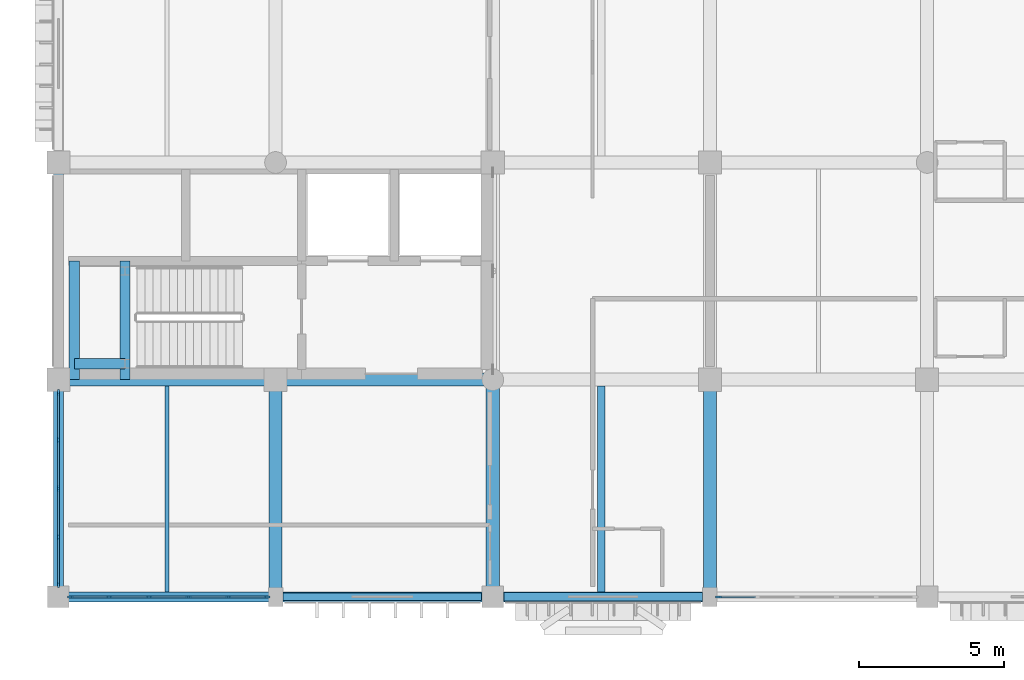
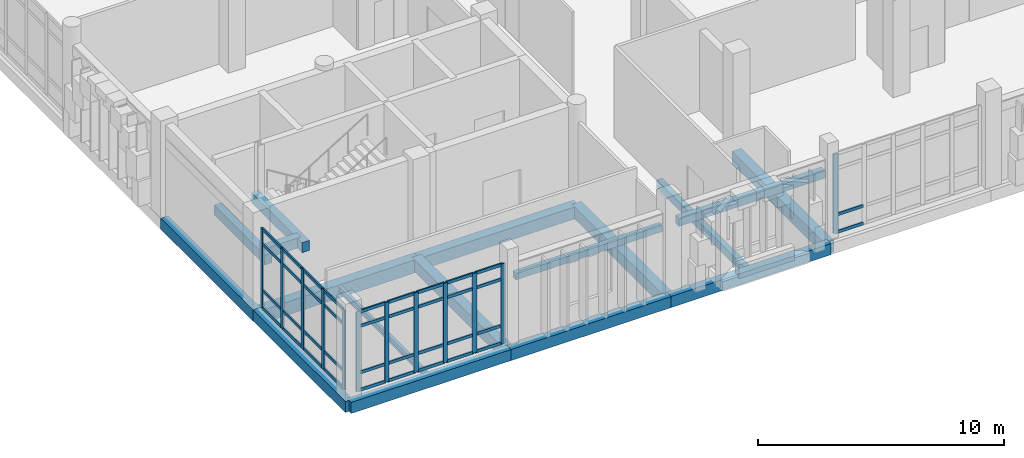
# One storey, part 16 of 131: 50 members, 17 beams, 3 elements without a shape of their own.
"""IFC4 building model written with IfcOpenShell, lengths in metres."""

from ifc_helpers import new_model, si_unit, direction, frame, origin, origin_2d, place, context, subcontext, project, spatial, rectangle, i_section, extrude, material, layer, layer_set, material_profile, profile_set, type_object, element, aggregate, save


model = new_model("IFC4")

# Units and contexts
model_context = context("Model", 3, precision=1e-05, world=origin(), true_north=direction((0.0, 1.0)))
body_context = subcontext(model_context, "Body", "Model", "MODEL_VIEW")
ifc_project = project(units=[si_unit("LENGTHUNIT", "METRE"), si_unit("AREAUNIT", "SQUARE_METRE"), si_unit("VOLUMEUNIT", "CUBIC_METRE"), si_unit("PLANEANGLEUNIT", "RADIAN"), si_unit("MASSUNIT", "GRAM", prefix="KILO")], contexts=[model_context])

# Site, building, storey
site_placement = place(None, origin())
site = spatial("IfcSite", under=ifc_project, at=site_placement, CompositionType="ELEMENT")
building_placement = place(site_placement, origin())
building = spatial("IfcBuilding", under=site, at=building_placement, Name="Dalvernix Boulevard General Hospital", CompositionType="ELEMENT")
storey_placement = place(building_placement, frame((0.0, 0.0, 9.300048828125)))
storey = spatial("IfcBuildingStorey", under=building, at=storey_placement, Name="L02", CompositionType="ELEMENT", Elevation=9.300048828125)

# Beams
ifc_material_1 = material(Name="Concrete C35/45", Category="concrete")
ifc_material_profile_1 = material_profile(ifc_material_1, rectangle(XDim=0.449951171875, YDim=0.64990234375, at=origin_2d()), Name="RCB 450x650")
ifc_profile_set_1 = profile_set([ifc_material_profile_1], Name="Concrete C35/45")
beam_type_1 = type_object("IfcBeamType", Name="BM-B-03-I", PredefinedType="BEAM", material=ifc_profile_set_1)
beam_1_placement = place(storey_placement, frame((0.0, 7.5, -0.64501953125), z_axis=(1.0, 0.0, 0.0), x_axis=(0.0, 1.0, 0.0)))
element("IfcBeam", 1, at=beam_1_placement, inside=storey, type_object=beam_type_1, Name="L02 E-W girder B:1-2", PredefinedType="BEAM", context=body_context, shape_type="SweptSolid", body=[
    extrude(rectangle(XDim=0.449951171875, YDim=0.64990234375, at=origin_2d()), origin(), (0.0, 0.0, 1.0), 7.5),
])
ifc_material_profile_2 = material_profile(ifc_material_1, rectangle(XDim=0.449951171875, YDim=0.60009765625, at=origin_2d()), Name="RCB 450x600")
ifc_profile_set_2 = profile_set([ifc_material_profile_2], Name="Concrete C35/45")
beam_type_2 = type_object("IfcBeamType", Name="BM-B-04-I", PredefinedType="BEAM", material=ifc_profile_set_2)
for number, where, z_axis, x_axis, name in (
    (2, (7.5, 7.5, -0.6201171875), (1.0, 0.0, 0.0), (0.0, 1.0, 0.0), "L02 E-W girder B:2-3"),
    (3, (7.5, 0.0, -0.6201171875), (0.0, 1.0, 0.0), (-1.0, 0.0, 0.0), "L02 N-S girder 2:A-B"),
    (4, (15.0, 0.0, -0.6201171875), (0.0, 1.0, 0.0), (-1.0, 0.0, 0.0), "L02 N-S girder 3:A-B"),
    (5, (22.5, 0.0, -0.6201171875), (0.0, 1.0, 0.0), (-1.0, 0.0, 0.0), "L02 N-S girder 4:A-B"),
):
    element("IfcBeam", number, at=place(storey_placement, frame(where, z_axis=z_axis, x_axis=x_axis)), inside=storey, type_object=beam_type_2, Name=name, PredefinedType="BEAM", context=body_context, shape_type="SweptSolid", body=[
        extrude(rectangle(XDim=0.449951171875, YDim=0.60009765625, at=origin_2d()), origin(), (0.0, 0.0, 1.0), 7.5),
    ])
ifc_material_profile_3 = material_profile(ifc_material_1, rectangle(XDim=0.35009765625, YDim=0.5, at=origin_2d()), Name="RCB 350x500")
ifc_profile_set_3 = profile_set([ifc_material_profile_3], Name="Concrete C35/45")
beam_type_3 = type_object("IfcBeamType", Name="BM-B-08", PredefinedType="BEAM", material=ifc_profile_set_3)
for number, where, z_axis, x_axis, name in (
    (6, (0.550048828125, 7.5, 1.949951171875), (0.0, 1.0, 0.0), (-1.0, 0.0, 0.0), "L02 C1 stair half-landing beam 1"),
    (7, (2.300048828125, 7.5, 1.949951171875), (0.0, 1.0, 0.0), (-1.0, 0.0, 0.0), "L02 C1 stair half-landing beam 2"),
):
    element("IfcBeam", number, at=place(storey_placement, frame(where, z_axis=z_axis, x_axis=x_axis)), inside=storey, type_object=beam_type_3, Name=name, PredefinedType="BEAM", context=body_context, shape_type="SweptSolid", body=[
        extrude(rectangle(XDim=0.35009765625, YDim=0.5, at=origin_2d()), origin(), (0.0, 0.0, 1.0), 4.10009765625),
    ])
beam_2_placement = place(storey_placement, frame((0.550048828125, 8.050048828125, 1.949951171875), z_axis=(1.0, 0.0, 0.0), x_axis=(0.0, 1.0, 0.0)))
element("IfcBeam", 8, at=beam_2_placement, inside=storey, type_object=beam_type_3, Name="L02 C1 stair half-landing tie beam", PredefinedType="BEAM", context=body_context, shape_type="SweptSolid", body=[
    extrude(rectangle(XDim=0.35009765625, YDim=0.5, at=origin_2d()), origin(), (0.0, 0.0, 1.0), 1.75),
])
ifc_material_profile_4 = material_profile(ifc_material_1, rectangle(XDim=0.25, YDim=0.39990234375, at=origin_2d()), Name="RCB 250x400")
ifc_profile_set_4 = profile_set([ifc_material_profile_4], Name="Concrete C35/45")
beam_type_4 = type_object("IfcBeamType", Name="BM-JB-02", PredefinedType="JOIST", material=ifc_profile_set_4)
beam_3_placement = place(storey_placement, frame((18.75, 0.175048828125, -0.52001953125), z_axis=(0.0, 1.0, 0.0), x_axis=(-1.0, 0.0, 0.0)))
element("IfcBeam", 9, at=beam_3_placement, inside=storey, type_object=beam_type_4, Name="L02 secondary floor beam 3-A", PredefinedType="JOIST", context=body_context, shape_type="SweptSolid", body=[
    extrude(rectangle(XDim=0.25, YDim=0.39990234375, at=origin_2d()), origin(), (0.0, 0.0, 1.0), 7.099853515625),
])
ifc_material_2 = material(Name="Steel S355", Category="steel")
ifc_material_profile_5 = material_profile(ifc_material_2, i_section(OverallWidth=0.14990234375, OverallDepth=0.300048828125, WebThickness=0.007080078125, FlangeThickness=0.0107421875, FilletRadius=0.014892578125, at=origin_2d()), Name="IPE 300")
ifc_profile_set_5 = profile_set([ifc_material_profile_5], Name="Steel S355")
beam_type_5 = type_object("IfcBeamType", Name="BM-JB-03", PredefinedType="JOIST", material=ifc_profile_set_5)
beam_4_placement = place(storey_placement, frame((3.75, 0.175048828125, -0.469970703125), z_axis=(0.0, 1.0, 0.0), x_axis=(-1.0, 0.0, 0.0)))
element("IfcBeam", 10, at=beam_4_placement, inside=storey, type_object=beam_type_5, Name="L02 secondary floor beam 1-A", PredefinedType="JOIST", context=body_context, shape_type="SweptSolid", body=[
    extrude(i_section(OverallWidth=0.14990234375, OverallDepth=0.300048828125, WebThickness=0.007080078125, FlangeThickness=0.0107421875, FilletRadius=0.014892578125, at=origin_2d()), origin(), (0.0, 0.0, 1.0), 7.099853515625),
])
ifc_material_3 = material(Name="Precast concrete C40/50", Category="concrete")
ifc_material_profile_6 = material_profile(ifc_material_3, rectangle(XDim=0.25, YDim=0.320068359375, at=origin_2d()), Name="RCL 250x320")
ifc_profile_set_6 = profile_set([ifc_material_profile_6], Name="Precast concrete C40/50")
beam_type_6 = type_object("IfcBeamType", Name="BM-LB-01", PredefinedType="LINTEL", material=ifc_profile_set_6)
beam_5_placement = place(storey_placement, frame((14.614990234375, 0.0, 3.159912109375), z_axis=(-1.0, 0.0, 0.0), x_axis=(0.0, -1.0, 0.0)))
element("IfcBeam", 11, at=beam_5_placement, inside=storey, type_object=beam_type_6, Name="L02 precast window lintel S 1-0", PredefinedType="LINTEL", context=body_context, shape_type="SweptSolid", body=[
    extrude(rectangle(XDim=0.25, YDim=0.320068359375, at=origin_2d()), origin(), (0.0, 0.0, 1.0), 6.85498046875),
])
ifc_material_profile_7 = material_profile(ifc_material_3, rectangle(XDim=0.300048828125, YDim=0.3798828125, at=origin_2d()), Name="RCL 300x380")
ifc_profile_set_7 = profile_set([ifc_material_profile_7], Name="Precast concrete C40/50")
beam_type_7 = type_object("IfcBeamType", Name="BM-LB-02", PredefinedType="LINTEL", material=ifc_profile_set_7)
beam_6_placement = place(storey_placement, frame((22.239990234375, 0.0, 3.18994140625), z_axis=(-1.0, 0.0, 0.0), x_axis=(0.0, -1.0, 0.0)))
element("IfcBeam", 12, at=beam_6_placement, inside=storey, type_object=beam_type_7, Name="L02 precast window lintel S 2-0", PredefinedType="LINTEL", context=body_context, shape_type="SweptSolid", body=[
    extrude(rectangle(XDim=0.300048828125, YDim=0.3798828125, at=origin_2d()), origin(), (0.0, 0.0, 1.0), 6.85498046875),
])
ifc_material_profile_8 = material_profile(ifc_material_1, rectangle(XDim=0.35009765625, YDim=0.550048828125, at=origin_2d()), Name="RCB 350x550")
ifc_profile_set_8 = profile_set([ifc_material_profile_8], Name="Concrete C35/45")
beam_type_8 = type_object("IfcBeamType", Name="BM-SB-01-E", PredefinedType="SPANDREL", material=ifc_profile_set_8)
for number, where, z_axis, x_axis, name in (
    (13, (0.0, 0.0, -0.594970703125), (1.0, 0.0, 0.0), (0.0, 1.0, 0.0), "L02 E-W girder A:1-2"),
    (14, (7.5, 0.0, -0.594970703125), (1.0, 0.0, 0.0), (0.0, 1.0, 0.0), "L02 E-W girder A:2-3"),
    (15, (15.0, 0.0, -0.594970703125), (1.0, 0.0, 0.0), (0.0, 1.0, 0.0), "L02 E-W girder A:3-4"),
    (16, (0.0, 0.0, -0.594970703125), (0.0, 1.0, 0.0), (-1.0, 0.0, 0.0), "L02 N-S girder 1:A-B"),
    (17, (0.0, 7.5, -0.594970703125), (0.0, 1.0, 0.0), (-1.0, 0.0, 0.0), "L02 N-S girder 1:B-C"),
):
    element("IfcBeam", number, at=place(storey_placement, frame(where, z_axis=z_axis, x_axis=x_axis)), inside=storey, type_object=beam_type_8, Name=name, PredefinedType="SPANDREL", context=body_context, shape_type="SweptSolid", body=[
        extrude(rectangle(XDim=0.35009765625, YDim=0.550048828125, at=origin_2d()), origin(), (0.0, 0.0, 1.0), 7.5),
    ])

# Curtain wall, members
ifc_material_4 = material(Name="Thermally broken aluminium and solar-control glass curtain wall", Category="aluminium")
ifc_layer_1 = layer(ifc_material_4, 0.199951171875)
ifc_layer_set_1 = layer_set([ifc_layer_1], Name="Thermally broken aluminium and solar-control glass curtain wall (CW-CW-C-69x40)")
curtain_wall_type_1 = type_object("IfcCurtainWallType", Name="CW-CW-C-69x40", PredefinedType="USERDEFINED", material=ifc_layer_set_1)
curtain_wall_1_placement = place(storey_placement, origin())
curtain_wall_1 = element("IfcCurtainWall", 18, at=curtain_wall_1_placement, inside=storey, type_object=curtain_wall_type_1, Name="L02 curtain wall CW-C-69x40 0-0", ObjectType="GLAZED FACADE", PredefinedType="USERDEFINED")
ifc_material_5 = material(Name="Aluminium EN AW-6060", Category="aluminium")
ifc_material_profile_9 = material_profile(ifc_material_5, rectangle(XDim=0.070068359375, YDim=0.199951171875, at=origin_2d()), Name="ALU MULL 70x200")
ifc_profile_set_9 = profile_set([ifc_material_profile_9], Name="Aluminium EN AW-6060")
member_type_1 = type_object("IfcMemberType", Name="MEM-CW-M3", PredefinedType="MULLION", material=ifc_profile_set_9)
member_1_placement = place(storey_placement, frame((7.205078125, 0.0, 0.0), z_axis=(0.0, 0.0, 1.0), x_axis=(0.0, -1.0, 0.0)))
member_1 = element("IfcMember", 19, at=member_1_placement, type_object=member_type_1, Name="CW-C-69x40 mullion 1", PredefinedType="MULLION", context=body_context, shape_type="SweptSolid", body=[
    extrude(rectangle(XDim=0.070068359375, YDim=0.199951171875, at=origin_2d()), origin(), (0.0, 0.0, 1.0), 3.949951171875),
])
member_2_placement = place(storey_placement, frame((5.868896484375, 0.0, 0.0), z_axis=(0.0, 0.0, 1.0), x_axis=(0.0, -1.0, 0.0)))
member_2 = element("IfcMember", 20, at=member_2_placement, type_object=member_type_1, Name="CW-C-69x40 mullion 2", PredefinedType="MULLION", context=body_context, shape_type="SweptSolid", body=[
    extrude(rectangle(XDim=0.070068359375, YDim=0.199951171875, at=origin_2d()), origin(), (0.0, 0.0, 1.0), 3.949951171875),
])
member_3_placement = place(storey_placement, frame((4.498046875, 0.0, 0.0), z_axis=(0.0, 0.0, 1.0), x_axis=(0.0, -1.0, 0.0)))
member_3 = element("IfcMember", 21, at=member_3_placement, type_object=member_type_1, Name="CW-C-69x40 mullion 3", PredefinedType="MULLION", context=body_context, shape_type="SweptSolid", body=[
    extrude(rectangle(XDim=0.070068359375, YDim=0.199951171875, at=origin_2d()), origin(), (0.0, 0.0, 1.0), 3.949951171875),
])
member_4_placement = place(storey_placement, frame((3.126953125, 0.0, 0.0), z_axis=(0.0, 0.0, 1.0), x_axis=(0.0, -1.0, 0.0)))
member_4 = element("IfcMember", 22, at=member_4_placement, type_object=member_type_1, Name="CW-C-69x40 mullion 4", PredefinedType="MULLION", context=body_context, shape_type="SweptSolid", body=[
    extrude(rectangle(XDim=0.070068359375, YDim=0.199951171875, at=origin_2d()), origin(), (0.0, 0.0, 1.0), 3.949951171875),
])
member_5_placement = place(storey_placement, frame((1.756103515625, 0.0, 0.0), z_axis=(0.0, 0.0, 1.0), x_axis=(0.0, -1.0, 0.0)))
member_5 = element("IfcMember", 23, at=member_5_placement, type_object=member_type_1, Name="CW-C-69x40 mullion 5", PredefinedType="MULLION", context=body_context, shape_type="SweptSolid", body=[
    extrude(rectangle(XDim=0.070068359375, YDim=0.199951171875, at=origin_2d()), origin(), (0.0, 0.0, 1.0), 3.949951171875),
])
member_6_placement = place(storey_placement, frame((0.419921875, 0.0, 0.0), z_axis=(0.0, 0.0, 1.0), x_axis=(0.0, -1.0, 0.0)))
member_6 = element("IfcMember", 24, at=member_6_placement, type_object=member_type_1, Name="CW-C-69x40 mullion 6", PredefinedType="MULLION", context=body_context, shape_type="SweptSolid", body=[
    extrude(rectangle(XDim=0.070068359375, YDim=0.199951171875, at=origin_2d()), origin(), (0.0, 0.0, 1.0), 3.949951171875),
])

ifc_layer_2 = layer(ifc_material_4, 0.199951171875)
ifc_layer_set_2 = layer_set([ifc_layer_2], Name="Thermally broken aluminium and solar-control glass curtain wall (CW-CW-C-67x40)")
curtain_wall_type_2 = type_object("IfcCurtainWallType", Name="CW-CW-C-67x40", PredefinedType="USERDEFINED", material=ifc_layer_set_2)
curtain_wall_2_placement = place(storey_placement, origin())
curtain_wall_2 = element("IfcCurtainWall", 25, at=curtain_wall_2_placement, inside=storey, type_object=curtain_wall_type_2, Name="L02 curtain wall CW-C-67x40 0-0", ObjectType="GLAZED FACADE", PredefinedType="USERDEFINED")
member_7_placement = place(storey_placement, frame((0.0, 0.419921875, 0.0), z_axis=(0.0, 0.0, 1.0), x_axis=(-1.0, 0.0, 0.0)))
member_7 = element("IfcMember", 26, at=member_7_placement, type_object=member_type_1, Name="CW-C-67x40 mullion 1", PredefinedType="MULLION", context=body_context, shape_type="SweptSolid", body=[
    extrude(rectangle(XDim=0.070068359375, YDim=0.199951171875, at=origin_2d()), origin(), (0.0, 0.0, 1.0), 3.949951171875),
])
member_8_placement = place(storey_placement, frame((0.0, 2.061279296875, 0.0), z_axis=(0.0, 0.0, 1.0), x_axis=(-1.0, 0.0, 0.0)))
member_8 = element("IfcMember", 27, at=member_8_placement, type_object=member_type_1, Name="CW-C-67x40 mullion 2", PredefinedType="MULLION", context=body_context, shape_type="SweptSolid", body=[
    extrude(rectangle(XDim=0.070068359375, YDim=0.199951171875, at=origin_2d()), origin(), (0.0, 0.0, 1.0), 3.949951171875),
])
member_9_placement = place(storey_placement, frame((0.0, 3.737548828125, 0.0), z_axis=(0.0, 0.0, 1.0), x_axis=(-1.0, 0.0, 0.0)))
member_9 = element("IfcMember", 28, at=member_9_placement, type_object=member_type_1, Name="CW-C-67x40 mullion 3", PredefinedType="MULLION", context=body_context, shape_type="SweptSolid", body=[
    extrude(rectangle(XDim=0.070068359375, YDim=0.199951171875, at=origin_2d()), origin(), (0.0, 0.0, 1.0), 3.949951171875),
])
member_10_placement = place(storey_placement, frame((0.0, 5.413818359375, 0.0), z_axis=(0.0, 0.0, 1.0), x_axis=(-1.0, 0.0, 0.0)))
member_10 = element("IfcMember", 29, at=member_10_placement, type_object=member_type_1, Name="CW-C-67x40 mullion 4", PredefinedType="MULLION", context=body_context, shape_type="SweptSolid", body=[
    extrude(rectangle(XDim=0.070068359375, YDim=0.199951171875, at=origin_2d()), origin(), (0.0, 0.0, 1.0), 3.949951171875),
])
member_11_placement = place(storey_placement, frame((0.0, 7.054931640625, 0.0), z_axis=(0.0, 0.0, 1.0), x_axis=(-1.0, 0.0, 0.0)))
member_11 = element("IfcMember", 30, at=member_11_placement, type_object=member_type_1, Name="CW-C-67x40 mullion 5", PredefinedType="MULLION", context=body_context, shape_type="SweptSolid", body=[
    extrude(rectangle(XDim=0.070068359375, YDim=0.199951171875, at=origin_2d()), origin(), (0.0, 0.0, 1.0), 3.949951171875),
])

# Curtain wall, member
curtain_wall_3_placement = place(storey_placement, origin())
curtain_wall_3 = element("IfcCurtainWall", 31, at=curtain_wall_3_placement, inside=storey, type_object=curtain_wall_type_1, Name="L02 curtain wall CW-C-69x40 3-0", ObjectType="GLAZED FACADE", PredefinedType="USERDEFINED")
member_12_placement = place(storey_placement, frame((22.794921875, 0.0, 0.0), z_axis=(0.0, 0.0, 1.0), x_axis=(0.0, -1.0, 0.0)))
member_12 = element("IfcMember", 32, at=member_12_placement, type_object=member_type_1, Name="CW-C-69x40 mullion 6", PredefinedType="MULLION", context=body_context, shape_type="SweptSolid", body=[
    extrude(rectangle(XDim=0.070068359375, YDim=0.199951171875, at=origin_2d()), origin(), (0.0, 0.0, 1.0), 3.949951171875),
])

# Member
ifc_material_profile_10 = material_profile(ifc_material_5, rectangle(XDim=0.070068359375, YDim=0.14990234375, at=origin_2d()), Name="ALU TRAN 70x150")
ifc_profile_set_10 = profile_set([ifc_material_profile_10], Name="Aluminium EN AW-6060")
member_type_2 = type_object("IfcMemberType", Name="MEM-CW-T3", PredefinedType="USERDEFINED", material=ifc_profile_set_10)
member_13_placement = place(storey_placement, frame((7.169921875, 0.0, 0.034912109375), z_axis=(-1.0, 0.0, 0.0), x_axis=(0.0, -1.0, 0.0)))
member_13 = element("IfcMember", 33, at=member_13_placement, type_object=member_type_2, Name="CW-C-69x40 transom 1.1", ObjectType="TRANSOM", PredefinedType="USERDEFINED", context=body_context, shape_type="SweptSolid", body=[
    extrude(rectangle(XDim=0.070068359375, YDim=0.14990234375, at=origin_2d()), origin(), (0.0, 0.0, 1.0), 1.265869140625),
])

member_14_placement = place(storey_placement, frame((7.169921875, 0.0, 0.89990234375), z_axis=(-1.0, 0.0, 0.0), x_axis=(0.0, -1.0, 0.0)))
member_14 = element("IfcMember", 34, at=member_14_placement, type_object=member_type_2, Name="CW-C-69x40 transom 1.2", ObjectType="TRANSOM", PredefinedType="USERDEFINED", context=body_context, shape_type="SweptSolid", body=[
    extrude(rectangle(XDim=0.070068359375, YDim=0.14990234375, at=origin_2d()), origin(), (0.0, 0.0, 1.0), 1.265869140625),
])

member_15_placement = place(storey_placement, frame((7.169921875, 0.0, 3.199951171875), z_axis=(-1.0, 0.0, 0.0), x_axis=(0.0, -1.0, 0.0)))
member_15 = element("IfcMember", 35, at=member_15_placement, type_object=member_type_2, Name="CW-C-69x40 transom 1.3", ObjectType="TRANSOM", PredefinedType="USERDEFINED", context=body_context, shape_type="SweptSolid", body=[
    extrude(rectangle(XDim=0.070068359375, YDim=0.14990234375, at=origin_2d()), origin(), (0.0, 0.0, 1.0), 1.265869140625),
])

member_16_placement = place(storey_placement, frame((7.169921875, 0.0, 3.9150390625), z_axis=(-1.0, 0.0, 0.0), x_axis=(0.0, -1.0, 0.0)))
member_16 = element("IfcMember", 36, at=member_16_placement, type_object=member_type_2, Name="CW-C-69x40 transom 1.4", ObjectType="TRANSOM", PredefinedType="USERDEFINED", context=body_context, shape_type="SweptSolid", body=[
    extrude(rectangle(XDim=0.070068359375, YDim=0.14990234375, at=origin_2d()), origin(), (0.0, 0.0, 1.0), 1.265869140625),
])

member_17_placement = place(storey_placement, frame((5.833984375, 0.0, 0.034912109375), z_axis=(-1.0, 0.0, 0.0), x_axis=(0.0, -1.0, 0.0)))
member_17 = element("IfcMember", 37, at=member_17_placement, type_object=member_type_2, Name="CW-C-69x40 transom 2.1", ObjectType="TRANSOM", PredefinedType="USERDEFINED", context=body_context, shape_type="SweptSolid", body=[
    extrude(rectangle(XDim=0.070068359375, YDim=0.14990234375, at=origin_2d()), origin(), (0.0, 0.0, 1.0), 1.301025390625),
])

member_18_placement = place(storey_placement, frame((5.833984375, 0.0, 0.89990234375), z_axis=(-1.0, 0.0, 0.0), x_axis=(0.0, -1.0, 0.0)))
member_18 = element("IfcMember", 38, at=member_18_placement, type_object=member_type_2, Name="CW-C-69x40 transom 2.2", ObjectType="TRANSOM", PredefinedType="USERDEFINED", context=body_context, shape_type="SweptSolid", body=[
    extrude(rectangle(XDim=0.070068359375, YDim=0.14990234375, at=origin_2d()), origin(), (0.0, 0.0, 1.0), 1.301025390625),
])

member_19_placement = place(storey_placement, frame((5.833984375, 0.0, 3.199951171875), z_axis=(-1.0, 0.0, 0.0), x_axis=(0.0, -1.0, 0.0)))
member_19 = element("IfcMember", 39, at=member_19_placement, type_object=member_type_2, Name="CW-C-69x40 transom 2.3", ObjectType="TRANSOM", PredefinedType="USERDEFINED", context=body_context, shape_type="SweptSolid", body=[
    extrude(rectangle(XDim=0.070068359375, YDim=0.14990234375, at=origin_2d()), origin(), (0.0, 0.0, 1.0), 1.301025390625),
])

member_20_placement = place(storey_placement, frame((5.833984375, 0.0, 3.9150390625), z_axis=(-1.0, 0.0, 0.0), x_axis=(0.0, -1.0, 0.0)))
member_20 = element("IfcMember", 40, at=member_20_placement, type_object=member_type_2, Name="CW-C-69x40 transom 2.4", ObjectType="TRANSOM", PredefinedType="USERDEFINED", context=body_context, shape_type="SweptSolid", body=[
    extrude(rectangle(XDim=0.070068359375, YDim=0.14990234375, at=origin_2d()), origin(), (0.0, 0.0, 1.0), 1.301025390625),
])

member_21_placement = place(storey_placement, frame((4.462890625, 0.0, 0.034912109375), z_axis=(-1.0, 0.0, 0.0), x_axis=(0.0, -1.0, 0.0)))
member_21 = element("IfcMember", 41, at=member_21_placement, type_object=member_type_2, Name="CW-C-69x40 transom 3.1", ObjectType="TRANSOM", PredefinedType="USERDEFINED", context=body_context, shape_type="SweptSolid", body=[
    extrude(rectangle(XDim=0.070068359375, YDim=0.14990234375, at=origin_2d()), origin(), (0.0, 0.0, 1.0), 1.30078125),
])

member_22_placement = place(storey_placement, frame((4.462890625, 0.0, 0.89990234375), z_axis=(-1.0, 0.0, 0.0), x_axis=(0.0, -1.0, 0.0)))
member_22 = element("IfcMember", 42, at=member_22_placement, type_object=member_type_2, Name="CW-C-69x40 transom 3.2", ObjectType="TRANSOM", PredefinedType="USERDEFINED", context=body_context, shape_type="SweptSolid", body=[
    extrude(rectangle(XDim=0.070068359375, YDim=0.14990234375, at=origin_2d()), origin(), (0.0, 0.0, 1.0), 1.30078125),
])

member_23_placement = place(storey_placement, frame((4.462890625, 0.0, 3.199951171875), z_axis=(-1.0, 0.0, 0.0), x_axis=(0.0, -1.0, 0.0)))
member_23 = element("IfcMember", 43, at=member_23_placement, type_object=member_type_2, Name="CW-C-69x40 transom 3.3", ObjectType="TRANSOM", PredefinedType="USERDEFINED", context=body_context, shape_type="SweptSolid", body=[
    extrude(rectangle(XDim=0.070068359375, YDim=0.14990234375, at=origin_2d()), origin(), (0.0, 0.0, 1.0), 1.30078125),
])

member_24_placement = place(storey_placement, frame((4.462890625, 0.0, 3.9150390625), z_axis=(-1.0, 0.0, 0.0), x_axis=(0.0, -1.0, 0.0)))
member_24 = element("IfcMember", 44, at=member_24_placement, type_object=member_type_2, Name="CW-C-69x40 transom 3.4", ObjectType="TRANSOM", PredefinedType="USERDEFINED", context=body_context, shape_type="SweptSolid", body=[
    extrude(rectangle(XDim=0.070068359375, YDim=0.14990234375, at=origin_2d()), origin(), (0.0, 0.0, 1.0), 1.30078125),
])

member_25_placement = place(storey_placement, frame((3.092041015625, 0.0, 0.034912109375), z_axis=(-1.0, 0.0, 0.0), x_axis=(0.0, -1.0, 0.0)))
member_25 = element("IfcMember", 45, at=member_25_placement, type_object=member_type_2, Name="CW-C-69x40 transom 4.1", ObjectType="TRANSOM", PredefinedType="USERDEFINED", context=body_context, shape_type="SweptSolid", body=[
    extrude(rectangle(XDim=0.070068359375, YDim=0.14990234375, at=origin_2d()), origin(), (0.0, 0.0, 1.0), 1.301025390625),
])

member_26_placement = place(storey_placement, frame((3.092041015625, 0.0, 0.89990234375), z_axis=(-1.0, 0.0, 0.0), x_axis=(0.0, -1.0, 0.0)))
member_26 = element("IfcMember", 46, at=member_26_placement, type_object=member_type_2, Name="CW-C-69x40 transom 4.2", ObjectType="TRANSOM", PredefinedType="USERDEFINED", context=body_context, shape_type="SweptSolid", body=[
    extrude(rectangle(XDim=0.070068359375, YDim=0.14990234375, at=origin_2d()), origin(), (0.0, 0.0, 1.0), 1.301025390625),
])

member_27_placement = place(storey_placement, frame((3.092041015625, 0.0, 3.199951171875), z_axis=(-1.0, 0.0, 0.0), x_axis=(0.0, -1.0, 0.0)))
member_27 = element("IfcMember", 47, at=member_27_placement, type_object=member_type_2, Name="CW-C-69x40 transom 4.3", ObjectType="TRANSOM", PredefinedType="USERDEFINED", context=body_context, shape_type="SweptSolid", body=[
    extrude(rectangle(XDim=0.070068359375, YDim=0.14990234375, at=origin_2d()), origin(), (0.0, 0.0, 1.0), 1.301025390625),
])

member_28_placement = place(storey_placement, frame((3.092041015625, 0.0, 3.9150390625), z_axis=(-1.0, 0.0, 0.0), x_axis=(0.0, -1.0, 0.0)))
member_28 = element("IfcMember", 48, at=member_28_placement, type_object=member_type_2, Name="CW-C-69x40 transom 4.4", ObjectType="TRANSOM", PredefinedType="USERDEFINED", context=body_context, shape_type="SweptSolid", body=[
    extrude(rectangle(XDim=0.070068359375, YDim=0.14990234375, at=origin_2d()), origin(), (0.0, 0.0, 1.0), 1.301025390625),
])

member_29_placement = place(storey_placement, frame((1.720947265625, 0.0, 0.034912109375), z_axis=(-1.0, 0.0, 0.0), x_axis=(0.0, -1.0, 0.0)))
member_29 = element("IfcMember", 49, at=member_29_placement, type_object=member_type_2, Name="CW-C-69x40 transom 5.1", ObjectType="TRANSOM", PredefinedType="USERDEFINED", context=body_context, shape_type="SweptSolid", body=[
    extrude(rectangle(XDim=0.070068359375, YDim=0.14990234375, at=origin_2d()), origin(), (0.0, 0.0, 1.0), 1.265869140625),
])

member_30_placement = place(storey_placement, frame((1.720947265625, 0.0, 0.89990234375), z_axis=(-1.0, 0.0, 0.0), x_axis=(0.0, -1.0, 0.0)))
member_30 = element("IfcMember", 50, at=member_30_placement, type_object=member_type_2, Name="CW-C-69x40 transom 5.2", ObjectType="TRANSOM", PredefinedType="USERDEFINED", context=body_context, shape_type="SweptSolid", body=[
    extrude(rectangle(XDim=0.070068359375, YDim=0.14990234375, at=origin_2d()), origin(), (0.0, 0.0, 1.0), 1.265869140625),
])

member_31_placement = place(storey_placement, frame((1.720947265625, 0.0, 3.199951171875), z_axis=(-1.0, 0.0, 0.0), x_axis=(0.0, -1.0, 0.0)))
member_31 = element("IfcMember", 51, at=member_31_placement, type_object=member_type_2, Name="CW-C-69x40 transom 5.3", ObjectType="TRANSOM", PredefinedType="USERDEFINED", context=body_context, shape_type="SweptSolid", body=[
    extrude(rectangle(XDim=0.070068359375, YDim=0.14990234375, at=origin_2d()), origin(), (0.0, 0.0, 1.0), 1.265869140625),
])

member_32_placement = place(storey_placement, frame((1.720947265625, 0.0, 3.9150390625), z_axis=(-1.0, 0.0, 0.0), x_axis=(0.0, -1.0, 0.0)))
member_32 = element("IfcMember", 52, at=member_32_placement, type_object=member_type_2, Name="CW-C-69x40 transom 5.4", ObjectType="TRANSOM", PredefinedType="USERDEFINED", context=body_context, shape_type="SweptSolid", body=[
    extrude(rectangle(XDim=0.070068359375, YDim=0.14990234375, at=origin_2d()), origin(), (0.0, 0.0, 1.0), 1.265869140625),
])

aggregate(curtain_wall_1, [member_1, member_2, member_3, member_4, member_5, member_6, member_13, member_14, member_15, member_16, member_17, member_18, member_19, member_20, member_21, member_22, member_23, member_24, member_25, member_26, member_27, member_28, member_29, member_30, member_31, member_32])

member_33_placement = place(storey_placement, frame((0.0, 0.455078125, 0.034912109375), z_axis=(0.0, 1.0, 0.0), x_axis=(-1.0, 0.0, 0.0)))
member_33 = element("IfcMember", 53, at=member_33_placement, type_object=member_type_2, Name="CW-C-67x40 transom 1.1", ObjectType="TRANSOM", PredefinedType="USERDEFINED", context=body_context, shape_type="SweptSolid", body=[
    extrude(rectangle(XDim=0.070068359375, YDim=0.14990234375, at=origin_2d()), origin(), (0.0, 0.0, 1.0), 1.5712890625),
])

member_34_placement = place(storey_placement, frame((0.0, 0.455078125, 0.89990234375), z_axis=(0.0, 1.0, 0.0), x_axis=(-1.0, 0.0, 0.0)))
member_34 = element("IfcMember", 54, at=member_34_placement, type_object=member_type_2, Name="CW-C-67x40 transom 1.2", ObjectType="TRANSOM", PredefinedType="USERDEFINED", context=body_context, shape_type="SweptSolid", body=[
    extrude(rectangle(XDim=0.070068359375, YDim=0.14990234375, at=origin_2d()), origin(), (0.0, 0.0, 1.0), 1.5712890625),
])

member_35_placement = place(storey_placement, frame((0.0, 0.455078125, 3.199951171875), z_axis=(0.0, 1.0, 0.0), x_axis=(-1.0, 0.0, 0.0)))
member_35 = element("IfcMember", 55, at=member_35_placement, type_object=member_type_2, Name="CW-C-67x40 transom 1.3", ObjectType="TRANSOM", PredefinedType="USERDEFINED", context=body_context, shape_type="SweptSolid", body=[
    extrude(rectangle(XDim=0.070068359375, YDim=0.14990234375, at=origin_2d()), origin(), (0.0, 0.0, 1.0), 1.5712890625),
])

member_36_placement = place(storey_placement, frame((0.0, 0.455078125, 3.9150390625), z_axis=(0.0, 1.0, 0.0), x_axis=(-1.0, 0.0, 0.0)))
member_36 = element("IfcMember", 56, at=member_36_placement, type_object=member_type_2, Name="CW-C-67x40 transom 1.4", ObjectType="TRANSOM", PredefinedType="USERDEFINED", context=body_context, shape_type="SweptSolid", body=[
    extrude(rectangle(XDim=0.070068359375, YDim=0.14990234375, at=origin_2d()), origin(), (0.0, 0.0, 1.0), 1.5712890625),
])

member_37_placement = place(storey_placement, frame((0.0, 2.09619140625, 0.034912109375), z_axis=(0.0, 1.0, 0.0), x_axis=(-1.0, 0.0, 0.0)))
member_37 = element("IfcMember", 57, at=member_37_placement, type_object=member_type_2, Name="CW-C-67x40 transom 2.1", ObjectType="TRANSOM", PredefinedType="USERDEFINED", context=body_context, shape_type="SweptSolid", body=[
    extrude(rectangle(XDim=0.070068359375, YDim=0.14990234375, at=origin_2d()), origin(), (0.0, 0.0, 1.0), 1.606201171875),
])

member_38_placement = place(storey_placement, frame((0.0, 2.09619140625, 0.89990234375), z_axis=(0.0, 1.0, 0.0), x_axis=(-1.0, 0.0, 0.0)))
member_38 = element("IfcMember", 58, at=member_38_placement, type_object=member_type_2, Name="CW-C-67x40 transom 2.2", ObjectType="TRANSOM", PredefinedType="USERDEFINED", context=body_context, shape_type="SweptSolid", body=[
    extrude(rectangle(XDim=0.070068359375, YDim=0.14990234375, at=origin_2d()), origin(), (0.0, 0.0, 1.0), 1.606201171875),
])

member_39_placement = place(storey_placement, frame((0.0, 2.09619140625, 3.199951171875), z_axis=(0.0, 1.0, 0.0), x_axis=(-1.0, 0.0, 0.0)))
member_39 = element("IfcMember", 59, at=member_39_placement, type_object=member_type_2, Name="CW-C-67x40 transom 2.3", ObjectType="TRANSOM", PredefinedType="USERDEFINED", context=body_context, shape_type="SweptSolid", body=[
    extrude(rectangle(XDim=0.070068359375, YDim=0.14990234375, at=origin_2d()), origin(), (0.0, 0.0, 1.0), 1.606201171875),
])

member_40_placement = place(storey_placement, frame((0.0, 2.09619140625, 3.9150390625), z_axis=(0.0, 1.0, 0.0), x_axis=(-1.0, 0.0, 0.0)))
member_40 = element("IfcMember", 60, at=member_40_placement, type_object=member_type_2, Name="CW-C-67x40 transom 2.4", ObjectType="TRANSOM", PredefinedType="USERDEFINED", context=body_context, shape_type="SweptSolid", body=[
    extrude(rectangle(XDim=0.070068359375, YDim=0.14990234375, at=origin_2d()), origin(), (0.0, 0.0, 1.0), 1.606201171875),
])

member_41_placement = place(storey_placement, frame((0.0, 3.7724609375, 0.034912109375), z_axis=(0.0, 1.0, 0.0), x_axis=(-1.0, 0.0, 0.0)))
member_41 = element("IfcMember", 61, at=member_41_placement, type_object=member_type_2, Name="CW-C-67x40 transom 3.1", ObjectType="TRANSOM", PredefinedType="USERDEFINED", context=body_context, shape_type="SweptSolid", body=[
    extrude(rectangle(XDim=0.070068359375, YDim=0.14990234375, at=origin_2d()), origin(), (0.0, 0.0, 1.0), 1.606201171875),
])

member_42_placement = place(storey_placement, frame((0.0, 3.7724609375, 0.89990234375), z_axis=(0.0, 1.0, 0.0), x_axis=(-1.0, 0.0, 0.0)))
member_42 = element("IfcMember", 62, at=member_42_placement, type_object=member_type_2, Name="CW-C-67x40 transom 3.2", ObjectType="TRANSOM", PredefinedType="USERDEFINED", context=body_context, shape_type="SweptSolid", body=[
    extrude(rectangle(XDim=0.070068359375, YDim=0.14990234375, at=origin_2d()), origin(), (0.0, 0.0, 1.0), 1.606201171875),
])

member_43_placement = place(storey_placement, frame((0.0, 3.7724609375, 3.199951171875), z_axis=(0.0, 1.0, 0.0), x_axis=(-1.0, 0.0, 0.0)))
member_43 = element("IfcMember", 63, at=member_43_placement, type_object=member_type_2, Name="CW-C-67x40 transom 3.3", ObjectType="TRANSOM", PredefinedType="USERDEFINED", context=body_context, shape_type="SweptSolid", body=[
    extrude(rectangle(XDim=0.070068359375, YDim=0.14990234375, at=origin_2d()), origin(), (0.0, 0.0, 1.0), 1.606201171875),
])

member_44_placement = place(storey_placement, frame((0.0, 3.7724609375, 3.9150390625), z_axis=(0.0, 1.0, 0.0), x_axis=(-1.0, 0.0, 0.0)))
member_44 = element("IfcMember", 64, at=member_44_placement, type_object=member_type_2, Name="CW-C-67x40 transom 3.4", ObjectType="TRANSOM", PredefinedType="USERDEFINED", context=body_context, shape_type="SweptSolid", body=[
    extrude(rectangle(XDim=0.070068359375, YDim=0.14990234375, at=origin_2d()), origin(), (0.0, 0.0, 1.0), 1.606201171875),
])

member_45_placement = place(storey_placement, frame((0.0, 5.44873046875, 0.034912109375), z_axis=(0.0, 1.0, 0.0), x_axis=(-1.0, 0.0, 0.0)))
member_45 = element("IfcMember", 65, at=member_45_placement, type_object=member_type_2, Name="CW-C-67x40 transom 4.1", ObjectType="TRANSOM", PredefinedType="USERDEFINED", context=body_context, shape_type="SweptSolid", body=[
    extrude(rectangle(XDim=0.070068359375, YDim=0.14990234375, at=origin_2d()), origin(), (0.0, 0.0, 1.0), 1.5712890625),
])

member_46_placement = place(storey_placement, frame((0.0, 5.44873046875, 0.89990234375), z_axis=(0.0, 1.0, 0.0), x_axis=(-1.0, 0.0, 0.0)))
member_46 = element("IfcMember", 66, at=member_46_placement, type_object=member_type_2, Name="CW-C-67x40 transom 4.2", ObjectType="TRANSOM", PredefinedType="USERDEFINED", context=body_context, shape_type="SweptSolid", body=[
    extrude(rectangle(XDim=0.070068359375, YDim=0.14990234375, at=origin_2d()), origin(), (0.0, 0.0, 1.0), 1.5712890625),
])

member_47_placement = place(storey_placement, frame((0.0, 5.44873046875, 3.199951171875), z_axis=(0.0, 1.0, 0.0), x_axis=(-1.0, 0.0, 0.0)))
member_47 = element("IfcMember", 67, at=member_47_placement, type_object=member_type_2, Name="CW-C-67x40 transom 4.3", ObjectType="TRANSOM", PredefinedType="USERDEFINED", context=body_context, shape_type="SweptSolid", body=[
    extrude(rectangle(XDim=0.070068359375, YDim=0.14990234375, at=origin_2d()), origin(), (0.0, 0.0, 1.0), 1.5712890625),
])

member_48_placement = place(storey_placement, frame((0.0, 5.44873046875, 3.9150390625), z_axis=(0.0, 1.0, 0.0), x_axis=(-1.0, 0.0, 0.0)))
member_48 = element("IfcMember", 68, at=member_48_placement, type_object=member_type_2, Name="CW-C-67x40 transom 4.4", ObjectType="TRANSOM", PredefinedType="USERDEFINED", context=body_context, shape_type="SweptSolid", body=[
    extrude(rectangle(XDim=0.070068359375, YDim=0.14990234375, at=origin_2d()), origin(), (0.0, 0.0, 1.0), 1.5712890625),
])

aggregate(curtain_wall_2, [member_7, member_8, member_9, member_10, member_11, member_33, member_34, member_35, member_36, member_37, member_38, member_39, member_40, member_41, member_42, member_43, member_44, member_45, member_46, member_47, member_48])

member_49_placement = place(storey_placement, frame((24.095947265625, 0.0, 0.034912109375), z_axis=(-1.0, 0.0, 0.0), x_axis=(0.0, -1.0, 0.0)))
member_49 = element("IfcMember", 69, at=member_49_placement, type_object=member_type_2, Name="CW-C-69x40 transom 5.1", ObjectType="TRANSOM", PredefinedType="USERDEFINED", context=body_context, shape_type="SweptSolid", body=[
    extrude(rectangle(XDim=0.070068359375, YDim=0.14990234375, at=origin_2d()), origin(), (0.0, 0.0, 1.0), 1.265869140625),
])

member_50_placement = place(storey_placement, frame((24.095947265625, 0.0, 0.89990234375), z_axis=(-1.0, 0.0, 0.0), x_axis=(0.0, -1.0, 0.0)))
member_50 = element("IfcMember", 70, at=member_50_placement, type_object=member_type_2, Name="CW-C-69x40 transom 5.2", ObjectType="TRANSOM", PredefinedType="USERDEFINED", context=body_context, shape_type="SweptSolid", body=[
    extrude(rectangle(XDim=0.070068359375, YDim=0.14990234375, at=origin_2d()), origin(), (0.0, 0.0, 1.0), 1.265869140625),
])

aggregate(curtain_wall_3, [member_12, member_49, member_50])

save(model, "model.ifc")
